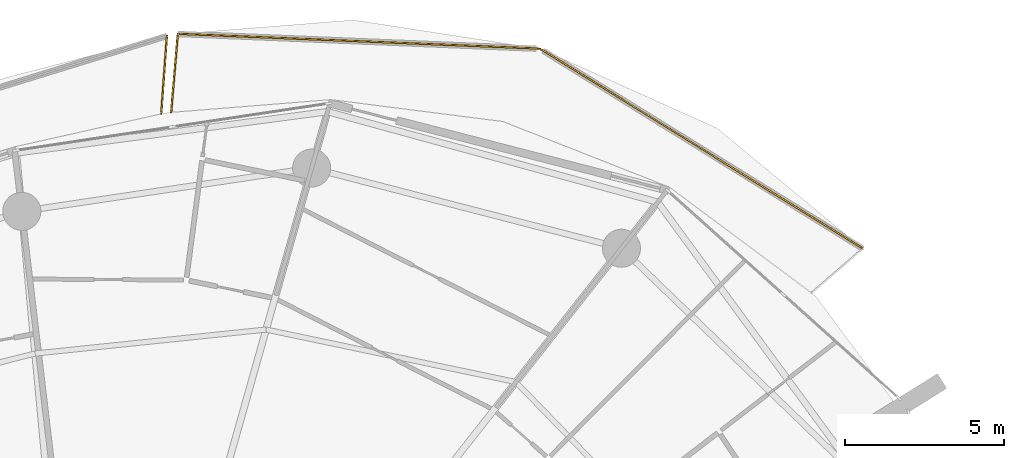
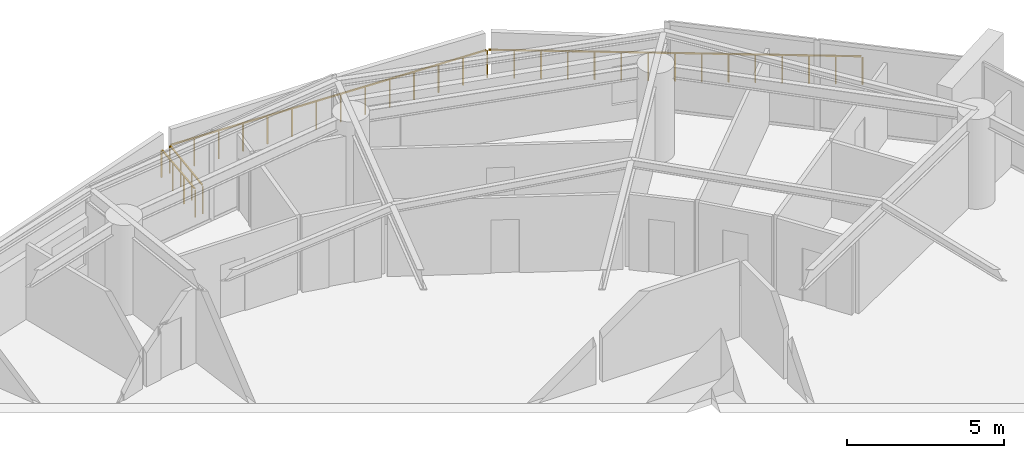
# One storey, part 23 of 23: 4 railings.
"""IFC4 building model written with IfcOpenShell, lengths in metres."""

from ifc_helpers import new_model, si_unit, direction, frame, origin, origin_2d, place, context, subcontext, project, spatial, rectangle, extrude, material, type_object, element, save


model = new_model("IFC4")

# Units and contexts
model_context = context("Model", 3, precision=1e-05, world=origin(), true_north=direction((0.0, 1.0)))
body_context = subcontext(model_context, "Body", "Model", "MODEL_VIEW")
ifc_project = project(units=[si_unit("LENGTHUNIT", "METRE"), si_unit("AREAUNIT", "SQUARE_METRE"), si_unit("VOLUMEUNIT", "CUBIC_METRE"), si_unit("PLANEANGLEUNIT", "RADIAN"), si_unit("MASSUNIT", "GRAM", prefix="KILO")], contexts=[model_context])

# Site, building, storey
site_placement = place(None, origin())
site = spatial("IfcSite", under=ifc_project, at=site_placement, CompositionType="ELEMENT")
building_placement = place(site_placement, origin())
building = spatial("IfcBuilding", under=site, at=building_placement, Name="Kazma Halo Residences", CompositionType="ELEMENT")
storey_placement = place(building_placement, frame((0.0, 0.0, 97.64990234375)))
storey = spatial("IfcBuildingStorey", under=building, at=storey_placement, Name="L24", CompositionType="ELEMENT", Elevation=97.64990234375)

# Railings
ifc_material = material(Name="Aluminium AW-6063 T6 Brushed Cap Rail", Category="aluminium")
railing_type = type_object("IfcRailingType", Name="RLG-BAL-CAP-1120", PredefinedType="BALUSTRADE", material=ifc_material)
railing_1_placement = place(storey_placement, frame((71.934814453125, 62.696533203125, 0.0)))
element("IfcRailing", 1, at=railing_1_placement, inside=storey, type_object=railing_type, Name="L24 NE wave balcony guard 2", PredefinedType="BALUSTRADE", context=body_context, shape_type="SweptSolid", body=[
    extrude(rectangle(XDim=0.050048828125, YDim=0.050048828125, at=origin_2d()), frame((-0.0361328125, 0.0224609375, 1.09521484375), z_axis=(-0.850139519216, 0.526557497209, 0.0), x_axis=(-0.526557497209, -0.850139519216, 0.0)), (0.0, 0.0, 1.0), 11.886474609375),
    extrude(rectangle(XDim=0.0400390625, YDim=0.0400390625, at=origin_2d()), origin(), (0.0, 0.0, 1.0), 1.05810546875),
    extrude(rectangle(XDim=0.0400390625, YDim=0.0400390625, at=origin_2d()), frame((-0.72705078125, 0.4501953125, 0.0)), (0.0, 0.0, 1.0), 1.05810546875),
    extrude(rectangle(XDim=0.0400390625, YDim=0.0400390625, at=origin_2d()), frame((-1.453857421875, 0.900634765625, 0.0)), (0.0, 0.0, 1.0), 1.05810546875),
    extrude(rectangle(XDim=0.0400390625, YDim=0.0400390625, at=origin_2d()), frame((-2.180908203125, 1.350830078125, 0.0)), (0.0, 0.0, 1.0), 1.05810546875),
    extrude(rectangle(XDim=0.0400390625, YDim=0.0400390625, at=origin_2d()), frame((-2.907958984375, 1.801025390625, 0.0)), (0.0, 0.0, 1.0), 1.05810546875),
    extrude(rectangle(XDim=0.0400390625, YDim=0.0400390625, at=origin_2d()), frame((-3.634765625, 2.251220703125, 0.0)), (0.0, 0.0, 1.0), 1.05810546875),
    extrude(rectangle(XDim=0.0400390625, YDim=0.0400390625, at=origin_2d()), frame((-4.36181640625, 2.70166015625, 0.0)), (0.0, 0.0, 1.0), 1.05810546875),
    extrude(rectangle(XDim=0.0400390625, YDim=0.0400390625, at=origin_2d()), frame((-5.0888671875, 3.15185546875, 0.0)), (0.0, 0.0, 1.0), 1.05810546875),
    extrude(rectangle(XDim=0.0400390625, YDim=0.0400390625, at=origin_2d()), frame((-5.815673828125, 3.60205078125, 0.0)), (0.0, 0.0, 1.0), 1.05810546875),
    extrude(rectangle(XDim=0.0400390625, YDim=0.0400390625, at=origin_2d()), frame((-6.542724609375, 4.052490234375, 0.0)), (0.0, 0.0, 1.0), 1.05810546875),
    extrude(rectangle(XDim=0.0400390625, YDim=0.0400390625, at=origin_2d()), frame((-7.26953125, 4.502685546875, 0.0)), (0.0, 0.0, 1.0), 1.05810546875),
    extrude(rectangle(XDim=0.0400390625, YDim=0.0400390625, at=origin_2d()), frame((-7.99658203125, 4.952880859375, 0.0)), (0.0, 0.0, 1.0), 1.05810546875),
    extrude(rectangle(XDim=0.0400390625, YDim=0.0400390625, at=origin_2d()), frame((-8.7236328125, 5.403076171875, 0.0)), (0.0, 0.0, 1.0), 1.05810546875),
    extrude(rectangle(XDim=0.0400390625, YDim=0.0400390625, at=origin_2d()), frame((-9.450439453125, 5.853515625, 0.0)), (0.0, 0.0, 1.0), 1.05810546875),
    extrude(rectangle(XDim=0.0400390625, YDim=0.0400390625, at=origin_2d()), frame((-10.177490234375, 6.3037109375, 0.0)), (0.0, 0.0, 1.0), 1.05810546875),
])
railing_2_placement = place(storey_placement, frame((61.75732421875, 69.000244140625, 0.0)))
element("IfcRailing", 2, at=railing_2_placement, inside=storey, type_object=railing_type, Name="L24 NE wave balcony guard 3", PredefinedType="BALUSTRADE", context=body_context, shape_type="SweptSolid", body=[
    extrude(rectangle(XDim=0.050048828125, YDim=0.050048828125, at=origin_2d()), frame((-0.04248046875, 0.001708984375, 1.09521484375), z_axis=(-0.99916398264, 0.040881973949, 0.0), x_axis=(-0.040881973949, -0.99916398264, 0.0)), (0.0, 0.0, 1.0), 11.35107421875),
    extrude(rectangle(XDim=0.0400390625, YDim=0.0400390625, at=origin_2d()), origin(), (0.0, 0.0, 1.0), 1.05810546875),
    extrude(rectangle(XDim=0.0400390625, YDim=0.0400390625, at=origin_2d()), frame((-0.87890625, 0.035888671875, 0.0)), (0.0, 0.0, 1.0), 1.05810546875),
    extrude(rectangle(XDim=0.0400390625, YDim=0.0400390625, at=origin_2d()), frame((-1.7578125, 0.072021484375, 0.0)), (0.0, 0.0, 1.0), 1.05810546875),
    extrude(rectangle(XDim=0.0400390625, YDim=0.0400390625, at=origin_2d()), frame((-2.636962890625, 0.10791015625, 0.0)), (0.0, 0.0, 1.0), 1.05810546875),
    extrude(rectangle(XDim=0.0400390625, YDim=0.0400390625, at=origin_2d()), frame((-3.515869140625, 0.143798828125, 0.0)), (0.0, 0.0, 1.0), 1.05810546875),
    extrude(rectangle(XDim=0.0400390625, YDim=0.0400390625, at=origin_2d()), frame((-4.394775390625, 0.179931640625, 0.0)), (0.0, 0.0, 1.0), 1.05810546875),
    extrude(rectangle(XDim=0.0400390625, YDim=0.0400390625, at=origin_2d()), frame((-5.273681640625, 0.2158203125, 0.0)), (0.0, 0.0, 1.0), 1.05810546875),
    extrude(rectangle(XDim=0.0400390625, YDim=0.0400390625, at=origin_2d()), frame((-6.15283203125, 0.251708984375, 0.0)), (0.0, 0.0, 1.0), 1.05810546875),
    extrude(rectangle(XDim=0.0400390625, YDim=0.0400390625, at=origin_2d()), frame((-7.03173828125, 0.28759765625, 0.0)), (0.0, 0.0, 1.0), 1.05810546875),
    extrude(rectangle(XDim=0.0400390625, YDim=0.0400390625, at=origin_2d()), frame((-7.91064453125, 0.32373046875, 0.0)), (0.0, 0.0, 1.0), 1.05810546875),
    extrude(rectangle(XDim=0.0400390625, YDim=0.0400390625, at=origin_2d()), frame((-8.78955078125, 0.359619140625, 0.0)), (0.0, 0.0, 1.0), 1.05810546875),
    extrude(rectangle(XDim=0.0400390625, YDim=0.0400390625, at=origin_2d()), frame((-9.668701171875, 0.3955078125, 0.0)), (0.0, 0.0, 1.0), 1.05810546875),
    extrude(rectangle(XDim=0.0400390625, YDim=0.0400390625, at=origin_2d()), frame((-10.547607421875, 0.431640625, 0.0)), (0.0, 0.0, 1.0), 1.05810546875),
    extrude(rectangle(XDim=0.0400390625, YDim=0.0400390625, at=origin_2d()), frame((-11.426513671875, 0.467529296875, 0.0)), (0.0, 0.0, 1.0), 1.05810546875),
])
railing_3_placement = place(storey_placement, frame((50.330810546875, 69.4677734375, 0.0)))
element("IfcRailing", 3, at=railing_3_placement, inside=storey, type_object=railing_type, Name="L24 NE wave balcony guard 4", PredefinedType="BALUSTRADE", context=body_context, shape_type="SweptSolid", body=[
    extrude(rectangle(XDim=0.050048828125, YDim=0.050048828125, at=origin_2d()), frame((-0.003662109375, -0.04248046875, 1.09521484375), z_axis=(-0.084615071296, -0.996413714132, 0.0), x_axis=(0.996413714132, -0.084615071296, 0.0)), (0.0, 0.0, 1.0), 2.399169921875),
    extrude(rectangle(XDim=0.0400390625, YDim=0.0400390625, at=origin_2d()), origin(), (0.0, 0.0, 1.0), 1.05810546875),
    extrude(rectangle(XDim=0.0400390625, YDim=0.0400390625, at=origin_2d()), frame((-0.070068359375, -0.8251953125, 0.0)), (0.0, 0.0, 1.0), 1.05810546875),
    extrude(rectangle(XDim=0.0400390625, YDim=0.0400390625, at=origin_2d()), frame((-0.14013671875, -1.650146484375, 0.0)), (0.0, 0.0, 1.0), 1.05810546875),
    extrude(rectangle(XDim=0.0400390625, YDim=0.0400390625, at=origin_2d()), frame((-0.210205078125, -2.475341796875, 0.0)), (0.0, 0.0, 1.0), 1.05810546875),
])
railing_4_placement = place(storey_placement, frame((49.81005859375, 66.94580078125, 0.0)))
element("IfcRailing", 4, at=railing_4_placement, inside=storey, type_object=railing_type, Name="L24 NNW wave balcony guard 1", PredefinedType="BALUSTRADE", context=body_context, shape_type="SweptSolid", body=[
    extrude(rectangle(XDim=0.050048828125, YDim=0.050048828125, at=origin_2d()), frame((0.003173828125, 0.04248046875, 1.09521484375), z_axis=(0.072365602414, 0.997378172805, 0.0), x_axis=(-0.997378172805, 0.072365602414, 0.0)), (0.0, 0.0, 1.0), 2.381103515625),
    extrude(rectangle(XDim=0.0400390625, YDim=0.0400390625, at=origin_2d()), origin(), (0.0, 0.0, 1.0), 1.05810546875),
    extrude(rectangle(XDim=0.0400390625, YDim=0.0400390625, at=origin_2d()), frame((0.0595703125, 0.81982421875, 0.0)), (0.0, 0.0, 1.0), 1.05810546875),
    extrude(rectangle(XDim=0.0400390625, YDim=0.0400390625, at=origin_2d()), frame((0.118896484375, 1.639892578125, 0.0)), (0.0, 0.0, 1.0), 1.05810546875),
    extrude(rectangle(XDim=0.0400390625, YDim=0.0400390625, at=origin_2d()), frame((0.178466796875, 2.459716796875, 0.0)), (0.0, 0.0, 1.0), 1.05810546875),
])

save(model, "model.ifc")
